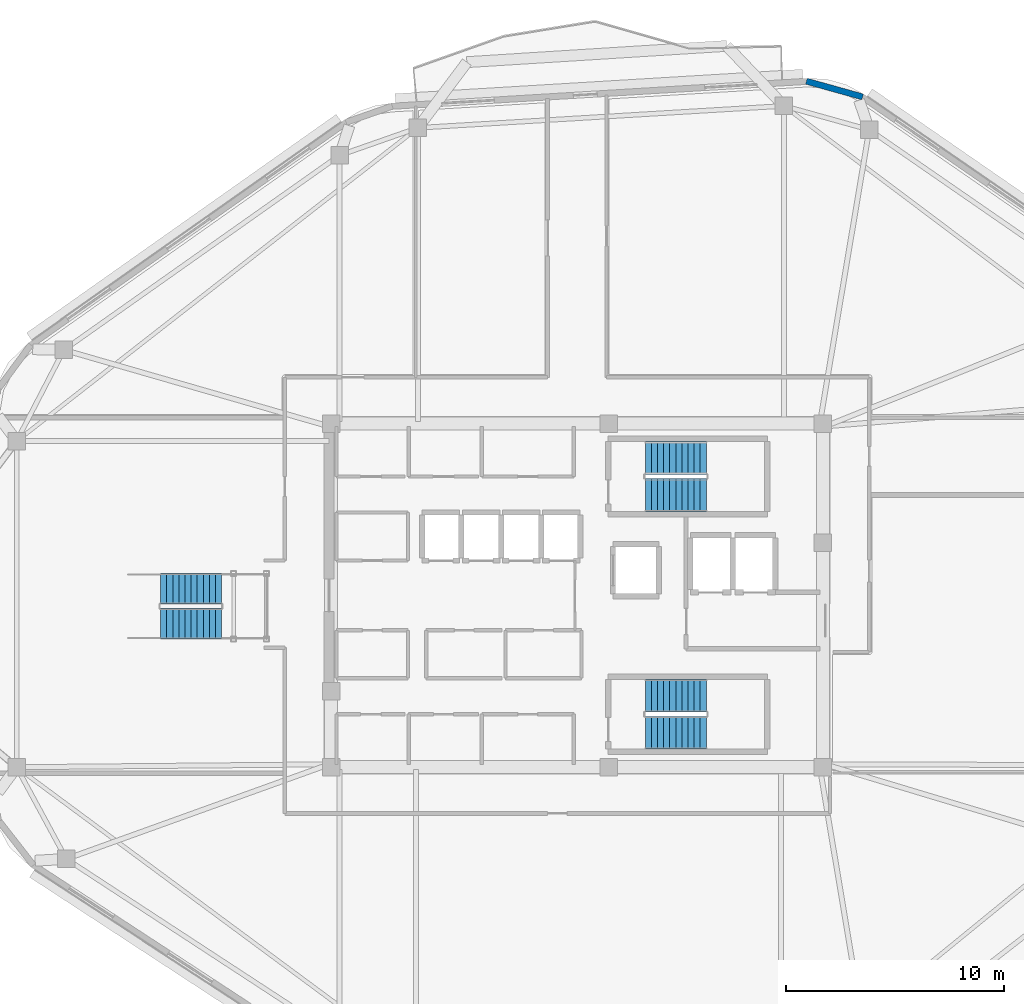
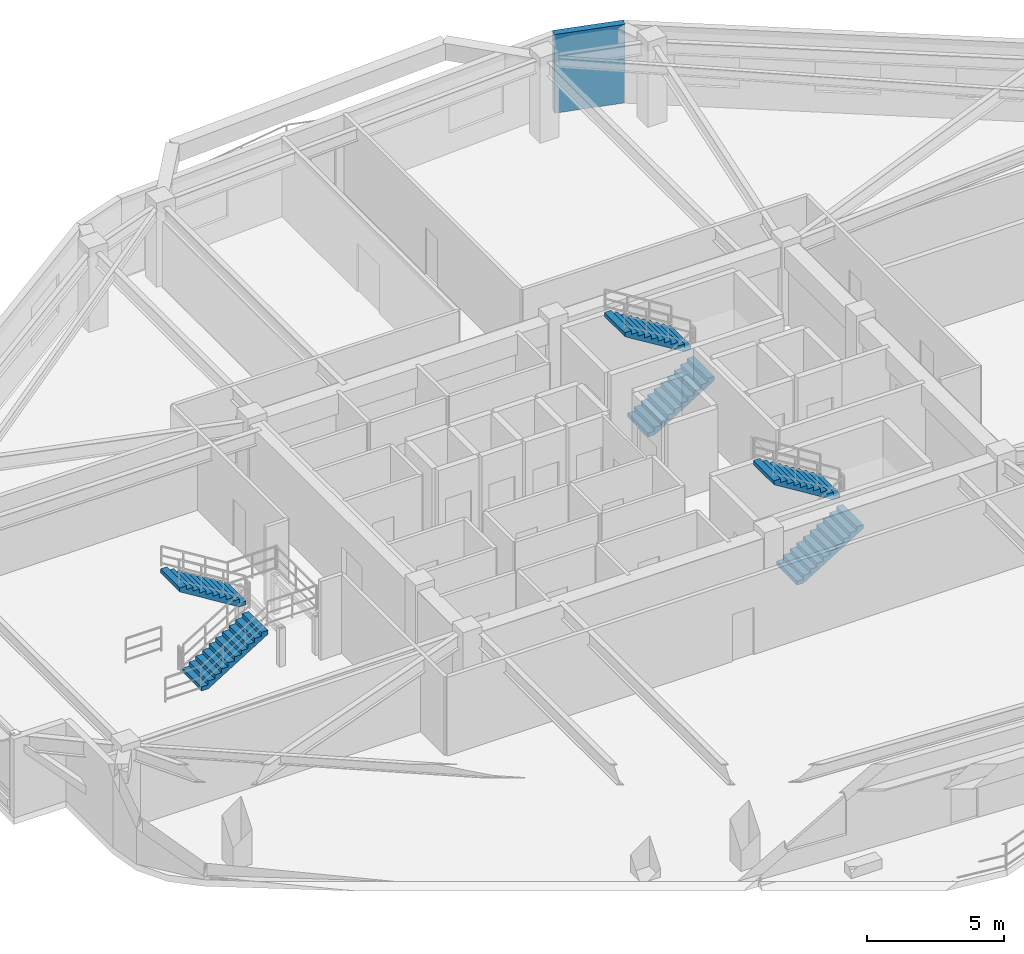
# One storey, part 15 of 18: 6 stair flights, 1 wall, 3 elements without a shape of their own.
"""IFC4 building model written with IfcOpenShell, lengths in metres."""

from ifc_helpers import new_model, si_unit, direction, frame, frame_2d, origin, place, context, subcontext, project, spatial, polyline, rectangle, outline, extrude, material, layer, layer_set, type_object, element, aggregate, save


model = new_model("IFC4")

# Units and contexts
model_context = context("Model", 3, precision=1e-05, world=origin(), true_north=direction((0.0, 1.0)))
body_context = subcontext(model_context, "Body", "Model", "MODEL_VIEW")
ifc_project = project(units=[si_unit("LENGTHUNIT", "METRE"), si_unit("AREAUNIT", "SQUARE_METRE"), si_unit("VOLUMEUNIT", "CUBIC_METRE"), si_unit("PLANEANGLEUNIT", "RADIAN"), si_unit("MASSUNIT", "GRAM", prefix="KILO")], contexts=[model_context])

# Site, building, storey
site_placement = place(None, origin())
site = spatial("IfcSite", under=ifc_project, at=site_placement, CompositionType="ELEMENT")
building_placement = place(site_placement, origin())
building = spatial("IfcBuilding", under=site, at=building_placement, Name="Zulverin Broadcast Headquarters", CompositionType="ELEMENT")
storey_placement = place(building_placement, frame((0.0, 0.0, 225.0)))
storey = spatial("IfcBuildingStorey", under=building, at=storey_placement, Name="L57", CompositionType="ELEMENT", Elevation=225.0)

# Wall
ifc_material_1 = material(Name="Insulated pale-metal clad concrete spandrel C40/50", Category="concrete")
ifc_layer = layer(ifc_material_1, 0.280029296875, Name="Insulated pale-metal clad concrete spandrel C40/50", Category="concrete")
ifc_layer_set = layer_set([ifc_layer], Name="Insulated pale-metal clad concrete spandrel C40/50")
wall_type = type_object("IfcWallType", Name="WL-EXT-280", PredefinedType="STANDARD", material=ifc_layer_set)
wall_placement = place(storey_placement, frame((50.096435546875, 48.060546875, 0.0), z_axis=(0.0, 0.0, 1.0), x_axis=(-0.963108887091, 0.269112005688, 0.0)))
element("IfcWall", 1, at=wall_placement, inside=storey, type_object=wall_type, Name="L57 Wind-Shaped Corner Spandrel Wall 4-1", PredefinedType="STANDARD", context=body_context, shape_type="SweptSolid", body=[
    extrude(rectangle(XDim=2.67529296875, YDim=0.280029296875, at=frame_2d((1.337646484375, 0.0))), origin(), (0.0, 0.0, 1.0), 3.510009765625),
])

# Stair, stair flights
ifc_material_2 = material(Name="Concrete C40/50", Category="concrete")
stair_type_1 = type_object("IfcStairType", Name="ST-CORE-1500", PredefinedType="HALF_TURN_STAIR", material=ifc_material_2)
stair_1_placement = place(storey_placement, origin())
stair_1 = element("IfcStair", 2, at=stair_1_placement, inside=storey, type_object=stair_type_1, Name="L57 Core Exit Stair ST-1", PredefinedType="HALF_TURN_STAIR")
stair_flight_type_1 = type_object("IfcStairFlightType", Name="SF-CORE-1500", PredefinedType="STRAIGHT", material=ifc_material_2)
stair_flight_1_placement = place(storey_placement, frame((40.1298828125, 29.800048828125, 0.0), z_axis=(0.0, 0.0, 1.0), x_axis=(1.0, 0.0, 0.0)))
stair_flight_1 = element("IfcStairFlight", 3, at=stair_flight_1_placement, type_object=stair_flight_type_1, Name="ST-1 flight 1", NumberOfRisers=11, NumberOfTreads=10, PredefinedType="STRAIGHT", RiserHeight=0.172727273, TreadLength=0.28, context=body_context, shape_type="SweptSolid", body=[
    extrude(outline(polyline([(0.0, 0.0), (0.0, 0.172607421875), (0.280029296875, 0.172607421875), (0.280029296875, 0.345458984375), (0.56005859375, 0.345458984375), (0.56005859375, 0.51806640625), (0.840087890625, 0.51806640625), (0.840087890625, 0.69091796875), (1.1201171875, 0.69091796875), (1.1201171875, 0.863525390625), (1.39990234375, 0.863525390625), (1.39990234375, 1.036376953125), (1.679931640625, 1.036376953125), (1.679931640625, 1.208984375), (1.9599609375, 1.208984375), (1.9599609375, 1.3818359375), (2.239990234375, 1.3818359375), (2.239990234375, 1.554443359375), (2.52001953125, 1.554443359375), (2.52001953125, 1.727294921875), (2.800048828125, 1.727294921875), (2.800048828125, 1.89990234375), (2.800048828125, 1.551025390625), (0.285400390625, 0.0), (0.0, 0.0)])), frame((0.0, 0.75, 0.0), z_axis=(0.0, -1.0, 0.0), x_axis=(1.0, 0.0, 0.0)), (0.0, 0.0, 1.0), 1.5),
])
stair_flight_2_placement = place(storey_placement, frame((42.929931640625, 31.5, 1.89990234375), z_axis=(0.0, 0.0, 1.0), x_axis=(-1.0, 0.0, 0.0)))
stair_flight_2 = element("IfcStairFlight", 4, at=stair_flight_2_placement, type_object=stair_flight_type_1, Name="ST-1 flight 2", NumberOfRisers=11, NumberOfTreads=10, PredefinedType="STRAIGHT", RiserHeight=0.172727273, TreadLength=0.28, context=body_context, shape_type="SweptSolid", body=[
    extrude(outline(polyline([(0.0, 0.0), (0.0, 0.172607421875), (0.280029296875, 0.172607421875), (0.280029296875, 0.345458984375), (0.56005859375, 0.345458984375), (0.56005859375, 0.51806640625), (0.840087890625, 0.51806640625), (0.840087890625, 0.69091796875), (1.1201171875, 0.69091796875), (1.1201171875, 0.863525390625), (1.39990234375, 0.863525390625), (1.39990234375, 1.036376953125), (1.679931640625, 1.036376953125), (1.679931640625, 1.208984375), (1.9599609375, 1.208984375), (1.9599609375, 1.3818359375), (2.239990234375, 1.3818359375), (2.239990234375, 1.554443359375), (2.52001953125, 1.554443359375), (2.52001953125, 1.727294921875), (2.800048828125, 1.727294921875), (2.800048828125, 1.89990234375), (2.800048828125, 1.551025390625), (0.285400390625, 0.0), (0.0, 0.0)])), frame((0.0, 0.75, 0.0), z_axis=(0.0, -1.0, 0.0), x_axis=(1.0, 0.0, 0.0)), (0.0, 0.0, 1.0), 1.5),
])
aggregate(stair_1, [stair_flight_1, stair_flight_2])

stair_2_placement = place(storey_placement, origin())
stair_2 = element("IfcStair", 5, at=stair_2_placement, inside=storey, type_object=stair_type_1, Name="L57 Core Exit Stair ST-2", PredefinedType="HALF_TURN_STAIR")
stair_flight_3_placement = place(storey_placement, frame((40.1298828125, 18.89990234375, 0.0), z_axis=(0.0, 0.0, 1.0), x_axis=(1.0, 0.0, 0.0)))
stair_flight_3 = element("IfcStairFlight", 6, at=stair_flight_3_placement, type_object=stair_flight_type_1, Name="ST-2 flight 1", NumberOfRisers=11, NumberOfTreads=10, PredefinedType="STRAIGHT", RiserHeight=0.172727273, TreadLength=0.28, context=body_context, shape_type="SweptSolid", body=[
    extrude(outline(polyline([(0.0, 0.0), (0.0, 0.172607421875), (0.280029296875, 0.172607421875), (0.280029296875, 0.345458984375), (0.56005859375, 0.345458984375), (0.56005859375, 0.51806640625), (0.840087890625, 0.51806640625), (0.840087890625, 0.69091796875), (1.1201171875, 0.69091796875), (1.1201171875, 0.863525390625), (1.39990234375, 0.863525390625), (1.39990234375, 1.036376953125), (1.679931640625, 1.036376953125), (1.679931640625, 1.208984375), (1.9599609375, 1.208984375), (1.9599609375, 1.3818359375), (2.239990234375, 1.3818359375), (2.239990234375, 1.554443359375), (2.52001953125, 1.554443359375), (2.52001953125, 1.727294921875), (2.800048828125, 1.727294921875), (2.800048828125, 1.89990234375), (2.800048828125, 1.551025390625), (0.285400390625, 0.0), (0.0, 0.0)])), frame((0.0, 0.75, 0.0), z_axis=(0.0, -1.0, 0.0), x_axis=(1.0, 0.0, 0.0)), (0.0, 0.0, 1.0), 1.5),
])
stair_flight_4_placement = place(storey_placement, frame((42.929931640625, 20.60009765625, 1.89990234375), z_axis=(0.0, 0.0, 1.0), x_axis=(-1.0, 0.0, 0.0)))
stair_flight_4 = element("IfcStairFlight", 7, at=stair_flight_4_placement, type_object=stair_flight_type_1, Name="ST-2 flight 2", NumberOfRisers=11, NumberOfTreads=10, PredefinedType="STRAIGHT", RiserHeight=0.172727273, TreadLength=0.28, context=body_context, shape_type="SweptSolid", body=[
    extrude(outline(polyline([(0.0, 0.0), (0.0, 0.172607421875), (0.280029296875, 0.172607421875), (0.280029296875, 0.345458984375), (0.56005859375, 0.345458984375), (0.56005859375, 0.51806640625), (0.840087890625, 0.51806640625), (0.840087890625, 0.69091796875), (1.1201171875, 0.69091796875), (1.1201171875, 0.863525390625), (1.39990234375, 0.863525390625), (1.39990234375, 1.036376953125), (1.679931640625, 1.036376953125), (1.679931640625, 1.208984375), (1.9599609375, 1.208984375), (1.9599609375, 1.3818359375), (2.239990234375, 1.3818359375), (2.239990234375, 1.554443359375), (2.52001953125, 1.554443359375), (2.52001953125, 1.727294921875), (2.800048828125, 1.727294921875), (2.800048828125, 1.89990234375), (2.800048828125, 1.551025390625), (0.285400390625, 0.0), (0.0, 0.0)])), frame((0.0, 0.75, 0.0), z_axis=(0.0, -1.0, 0.0), x_axis=(1.0, 0.0, 0.0)), (0.0, 0.0, 1.0), 1.5),
])
aggregate(stair_2, [stair_flight_3, stair_flight_4])

stair_type_2 = type_object("IfcStairType", Name="ST-SKY-1400", PredefinedType="HALF_TURN_STAIR", material=ifc_material_2)
stair_3_placement = place(storey_placement, origin())
stair_3 = element("IfcStair", 8, at=stair_3_placement, inside=storey, type_object=stair_type_2, Name="L57 High-Rise Sky Lobby Feature Stair ST-7", PredefinedType="HALF_TURN_STAIR")
stair_flight_type_2 = type_object("IfcStairFlightType", Name="SF-SKY-1400", PredefinedType="STRAIGHT", material=ifc_material_2)
stair_flight_5_placement = place(storey_placement, frame((17.89990234375, 23.89990234375, 0.0), z_axis=(0.0, 0.0, 1.0), x_axis=(1.0, 0.0, 0.0)))
stair_flight_5 = element("IfcStairFlight", 9, at=stair_flight_5_placement, type_object=stair_flight_type_2, Name="ST-7 flight 1", NumberOfRisers=11, NumberOfTreads=10, PredefinedType="STRAIGHT", RiserHeight=0.172727273, TreadLength=0.28, context=body_context, shape_type="SweptSolid", body=[
    extrude(outline(polyline([(0.0, 0.0), (0.0, 0.172607421875), (0.280029296875, 0.172607421875), (0.280029296875, 0.345458984375), (0.56005859375, 0.345458984375), (0.56005859375, 0.51806640625), (0.840087890625, 0.51806640625), (0.840087890625, 0.69091796875), (1.1201171875, 0.69091796875), (1.1201171875, 0.863525390625), (1.39990234375, 0.863525390625), (1.39990234375, 1.036376953125), (1.679931640625, 1.036376953125), (1.679931640625, 1.208984375), (1.9599609375, 1.208984375), (1.9599609375, 1.3818359375), (2.239990234375, 1.3818359375), (2.239990234375, 1.554443359375), (2.52001953125, 1.554443359375), (2.52001953125, 1.727294921875), (2.800048828125, 1.727294921875), (2.800048828125, 1.89990234375), (2.800048828125, 1.551025390625), (0.285400390625, 0.0), (0.0, 0.0)])), frame((0.0, 0.699951171875, 0.0), z_axis=(0.0, -1.0, 0.0), x_axis=(1.0, 0.0, 0.0)), (0.0, 0.0, 1.0), 1.39990234375),
])
stair_flight_6_placement = place(storey_placement, frame((20.699951171875, 25.5, 1.89990234375), z_axis=(0.0, 0.0, 1.0), x_axis=(-1.0, 0.0, 0.0)))
stair_flight_6 = element("IfcStairFlight", 10, at=stair_flight_6_placement, type_object=stair_flight_type_2, Name="ST-7 flight 2", NumberOfRisers=11, NumberOfTreads=10, PredefinedType="STRAIGHT", RiserHeight=0.172727273, TreadLength=0.28, context=body_context, shape_type="SweptSolid", body=[
    extrude(outline(polyline([(0.0, 0.0), (0.0, 0.172607421875), (0.280029296875, 0.172607421875), (0.280029296875, 0.345458984375), (0.56005859375, 0.345458984375), (0.56005859375, 0.51806640625), (0.840087890625, 0.51806640625), (0.840087890625, 0.69091796875), (1.1201171875, 0.69091796875), (1.1201171875, 0.863525390625), (1.39990234375, 0.863525390625), (1.39990234375, 1.036376953125), (1.679931640625, 1.036376953125), (1.679931640625, 1.208984375), (1.9599609375, 1.208984375), (1.9599609375, 1.3818359375), (2.239990234375, 1.3818359375), (2.239990234375, 1.554443359375), (2.52001953125, 1.554443359375), (2.52001953125, 1.727294921875), (2.800048828125, 1.727294921875), (2.800048828125, 1.89990234375), (2.800048828125, 1.551025390625), (0.285400390625, 0.0), (0.0, 0.0)])), frame((0.0, 0.699951171875, 0.0), z_axis=(0.0, -1.0, 0.0), x_axis=(1.0, 0.0, 0.0)), (0.0, 0.0, 1.0), 1.39990234375),
])
aggregate(stair_3, [stair_flight_5, stair_flight_6])

save(model, "model.ifc")
